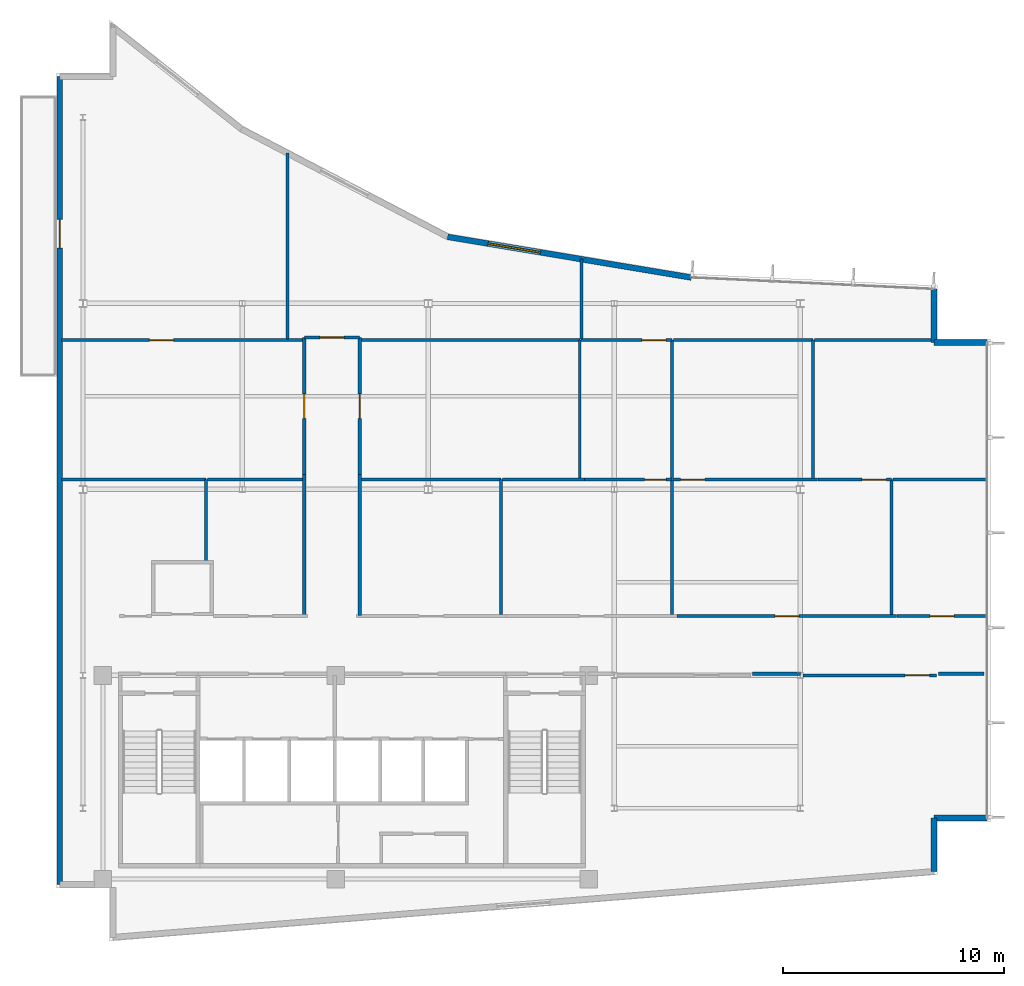
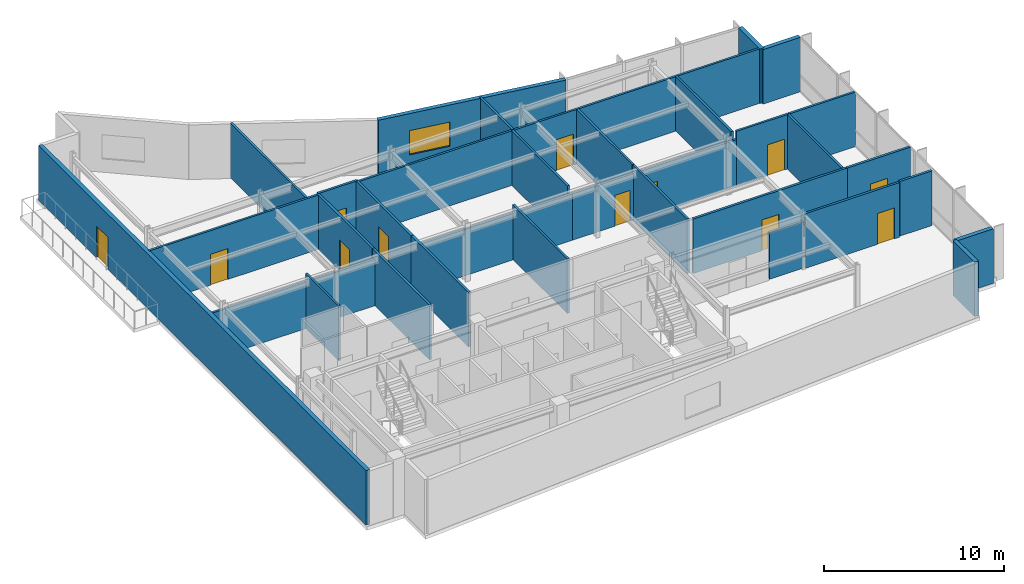
# One storey, part 12 of 16: 38 walls, 12 doors, 1 window, 13 openings.
"""IFC4 building model written with IfcOpenShell, lengths in metres."""

from ifc_helpers import new_model, si_unit, direction, frame, frame_2d, origin, place, context, subcontext, project, spatial, rectangle, extrude, material, layer, layer_set, type_object, element, fill, save


model = new_model("IFC4")

# Units and contexts
model_context = context("Model", 3, precision=1e-05, world=origin(), true_north=direction((0.0, 1.0)))
body_context = subcontext(model_context, "Body", "Model", "MODEL_VIEW")
ifc_project = project(units=[si_unit("LENGTHUNIT", "METRE"), si_unit("AREAUNIT", "SQUARE_METRE"), si_unit("VOLUMEUNIT", "CUBIC_METRE"), si_unit("PLANEANGLEUNIT", "RADIAN"), si_unit("MASSUNIT", "GRAM", prefix="KILO")], contexts=[model_context])

# Site, building, storey
site_placement = place(None, origin())
site = spatial("IfcSite", under=ifc_project, at=site_placement, CompositionType="ELEMENT")
building_placement = place(site_placement, origin())
building = spatial("IfcBuilding", under=site, at=building_placement, Name="Varnakote Quay Hospital", CompositionType="ELEMENT")
storey_placement = place(building_placement, frame((0.0, 0.0, 264.449951171875)))
storey = spatial("IfcBuildingStorey", under=building, at=storey_placement, Name="L65", CompositionType="ELEMENT", Elevation=264.449951171875)

# Walls
ifc_material_1 = material(Name="Fire-rated acoustic gypsum stud wall", Category="gypsum")
ifc_layer_1 = layer(ifc_material_1, 0.159912109375)
ifc_layer_set_1 = layer_set([ifc_layer_1], Name="Fire-rated acoustic gypsum stud wall")
wall_type_1 = type_object("IfcWallType", Name="WL-COMP-160", PredefinedType="PARTITIONING", material=ifc_layer_set_1)
wall_1_placement = place(storey_placement, frame((31.439208984375, 12.080078125, 0.0), z_axis=(0.0, 0.0, 1.0), x_axis=(1.0, 0.0, 0.0)))
element("IfcWall", 1, at=wall_1_placement, inside=storey, type_object=wall_type_1, Name="L65 Corridor South Gap Wall", PredefinedType="PARTITIONING", context=body_context, shape_type="SweptSolid", body=[
    extrude(rectangle(XDim=2.198486328125, YDim=0.159912109375, at=frame_2d((1.09912109375, 0.0))), origin(), (0.0, 0.0, 1.0), 3.156982421875),
])
wall_2_placement = place(storey_placement, frame((39.83935546875, 12.080078125, 0.0), z_axis=(0.0, 0.0, 1.0), x_axis=(1.0, 0.0, 0.0)))
element("IfcWall", 2, at=wall_2_placement, inside=storey, type_object=wall_type_1, Name="L65 Corridor South Gap Wall", PredefinedType="PARTITIONING", context=body_context, shape_type="SweptSolid", body=[
    extrude(rectangle(XDim=2.060546875, YDim=0.159912109375, at=frame_2d((1.0302734375, 0.0))), origin(), (0.0, 0.0, 1.0), 3.7099609375),
])
ifc_material_2 = material(Name="Precast concrete N50 (f'c 50 MPa)", Category="concrete")
ifc_layer_2 = layer(ifc_material_2, 0.260009765625)
ifc_layer_set_2 = layer_set([ifc_layer_2], Name="Precast concrete N50 (f'c 50 MPa)")
wall_type_2 = type_object("IfcWallType", Name="WL-EXT-BRICK-260", PredefinedType="STANDARD", material=ifc_layer_set_2)
wall_3_placement = place(storey_placement, frame((39.639892578125, 3.147705078125, 0.0), z_axis=(0.0, 0.0, 1.0), x_axis=(0.0, 1.0, 0.0)))
element("IfcWall", 3, at=wall_3_placement, inside=storey, type_object=wall_type_2, Name="L65 Brick-Faced Precast Exterior Wall", PredefinedType="STANDARD", context=body_context, shape_type="SweptSolid", body=[
    extrude(rectangle(XDim=2.412353515625, YDim=0.260009765625, at=frame_2d((1.2060546875, 0.0))), origin(), (0.0, 0.0, 1.0), 3.7099609375),
])
for number, where, z_axis, x_axis, name in (
    (4, (39.639892578125, 5.56005859375, 0.0), (0.0, 0.0, 1.0), (1.0, 0.0, 0.0), "L65 Brick-Faced Precast Exterior Wall"),
    (5, (42.0400390625, 27.0400390625, 0.0), (0.0, 0.0, 1.0), (-1.0, 0.0, 0.0), "L65 Brick-Faced Precast Exterior Wall"),
):
    element("IfcWall", number, at=place(storey_placement, frame(where, z_axis=z_axis, x_axis=x_axis)), inside=storey, type_object=wall_type_2, Name=name, PredefinedType="STANDARD", context=body_context, shape_type="SweptSolid", body=[
        extrude(rectangle(XDim=2.400146484375, YDim=0.260009765625, at=frame_2d((1.2001953125, 0.0))), origin(), (0.0, 0.0, 1.0), 3.7099609375),
    ])
wall_4_placement = place(storey_placement, frame((39.639892578125, 27.0400390625, 0.0), z_axis=(0.0, 0.0, 1.0), x_axis=(0.0, 1.0, 0.0)))
element("IfcWall", 6, at=wall_4_placement, inside=storey, type_object=wall_type_2, Name="L65 Brick-Faced Precast Exterior Wall", PredefinedType="STANDARD", context=body_context, shape_type="SweptSolid", body=[
    extrude(rectangle(XDim=2.407470703125, YDim=0.260009765625, at=frame_2d((1.20361328125, 0.0))), origin(), (0.0, 0.0, 1.0), 3.7099609375),
])

# Wall, opening, window
wall_5_placement = place(storey_placement, frame((28.678955078125, 29.968505859375, 0.0), z_axis=(0.0, 0.0, 1.0), x_axis=(-0.986343023061, 0.164704100918, 0.0)))
wall_5 = element("IfcWall", 7, at=wall_5_placement, inside=storey, type_object=wall_type_2, Name="L65 Brick-Faced Precast Exterior Wall", PredefinedType="STANDARD", context=body_context, shape_type="SweptSolid", body=[
    extrude(rectangle(XDim=11.15869140625, YDim=0.260009765625, at=frame_2d((5.579345703125, 0.0))), origin(), (0.0, 0.0, 1.0), 3.7099609375),
])
opening_1_placement = place(wall_5_placement, frame((6.908203125, 0.0, 0.89990234375)))
opening_1 = element("IfcOpeningElement", 8, at=opening_1_placement, cuts=wall_5, Name="Opening WN-0263", PredefinedType="OPENING", context=body_context, shape_type="SweptSolid", body=[
    extrude(rectangle(XDim=2.39990234375, YDim=1.64990234375, at=frame_2d((1.199951171875, 0.824951171875))), frame((0.0, 0.139892578125, 0.0), z_axis=(0.0, -1.0, 0.0), x_axis=(1.0, 0.0, 0.0)), (0.0, 0.0, 1.0), 0.280029296875),
])
ifc_material_3 = material(Name="Double-glazed low-E solar glass", Category="glass")
window_type = type_object("IfcWindowType", Name="WIN-CLIN-2400x1650", PartitioningType="SINGLE_PANEL", PredefinedType="WINDOW", material=ifc_material_3)
window_placement = place(opening_1_placement, origin())
window = element("IfcWindow", 9, at=window_placement, inside=storey, type_object=window_type, Name="L65 Solar-Control Clinical Window", OverallHeight=1.64990234375, OverallWidth=2.39990234375, PartitioningType="SINGLE_PANEL", PredefinedType="WINDOW", context=body_context, shape_type="SweptSolid", body=[
    extrude(rectangle(XDim=2.39990234375, YDim=1.64990234375, at=frame_2d((1.199951171875, 0.824951171875))), frame((0.0, 0.030029296875, 0.0), z_axis=(0.0, -1.0, 0.0), x_axis=(1.0, 0.0, 0.0)), (0.0, 0.0, 1.0), 0.06005859375),
])
fill(opening_1, window)

# Wall, opening, door
wall_6_placement = place(storey_placement, frame((0.159912109375, 39.0400390625, 0.0), z_axis=(0.0, 0.0, 1.0), x_axis=(0.0, -1.0, 0.0)))
wall_6 = element("IfcWall", 10, at=wall_6_placement, inside=storey, type_object=wall_type_2, Name="L65 Healing Terrace Portal Brick Wall", PredefinedType="STANDARD", context=body_context, shape_type="SweptSolid", body=[
    extrude(rectangle(XDim=36.47998046875, YDim=0.260009765625, at=frame_2d((18.239990234375, 0.0))), origin(), (0.0, 0.0, 1.0), 3.7099609375),
])
opening_2_placement = place(wall_6_placement, frame((6.443359375, 0.0, 0.0)))
opening_2 = element("IfcOpeningElement", 11, at=opening_2_placement, cuts=wall_6, Name="Opening DT-L65", PredefinedType="OPENING", context=body_context, shape_type="SweptSolid", body=[
    extrude(rectangle(XDim=1.300048828125, YDim=2.14990234375, at=frame_2d((0.64990234375, 1.074951171875))), frame((0.0, 0.139892578125, 0.0), z_axis=(0.0, -1.0, 0.0), x_axis=(1.0, 0.0, 0.0)), (0.0, 0.0, 1.0), 0.280029296875),
])
ifc_material_4 = material(Name="Anodised aluminium glazed terrace door", Category="aluminium")
door_type_1 = type_object("IfcDoorType", Name="DR-EXT-TERR-1300x2150", OperationType="NOTDEFINED", PredefinedType="DOOR", material=ifc_material_4)
door_1_placement = place(opening_2_placement, origin())
door_1 = element("IfcDoor", 12, at=door_1_placement, inside=storey, type_object=door_type_1, Name="L65 Waterfront Healing Terrace Door", OperationType="SINGLE_SWING_RIGHT", OverallHeight=2.14990234375, OverallWidth=1.300048828125, PredefinedType="DOOR", context=body_context, shape_type="SweptSolid", body=[
    extrude(rectangle(XDim=1.300048828125, YDim=2.14990234375, at=frame_2d((0.64990234375, 1.074951171875))), frame((0.0, 0.02490234375, 0.0), z_axis=(0.0, -1.0, 0.0), x_axis=(1.0, 0.0, 0.0)), (0.0, 0.0, 1.0), 0.050048828125),
])
fill(opening_2, door_1)

# Walls
ifc_material_5 = material(Name="Smoke-proof clinical partition", Category="gypsum")
ifc_layer_3 = layer(ifc_material_5, 0.135009765625)
ifc_layer_set_3 = layer_set([ifc_layer_3], Name="Smoke-proof clinical partition")
wall_type_3 = type_object("IfcWallType", Name="WL-SMOKE-135", PredefinedType="PARTITIONING", material=ifc_layer_set_3)
wall_7_placement = place(storey_placement, frame((6.760009765625, 17.139892578125, 0.0), z_axis=(0.0, 0.0, 1.0), x_axis=(0.0, 1.0, 0.0)))
element("IfcWall", 13, at=wall_7_placement, inside=storey, type_object=wall_type_3, Name="L65 Clinical Interior Partition", PredefinedType="PARTITIONING", context=body_context, shape_type="SweptSolid", body=[
    extrude(rectangle(XDim=3.7001953125, YDim=0.135009765625, at=frame_2d((1.85009765625, 0.0))), origin(), (0.0, 0.0, 1.0), 3.7099609375),
])
wall_8_placement = place(storey_placement, frame((6.760009765625, 20.840087890625, 0.0), z_axis=(0.0, 0.0, 1.0), x_axis=(-1.0, 0.0, 0.0)))
element("IfcWall", 14, at=wall_8_placement, inside=storey, type_object=wall_type_3, Name="L65 Clinical Interior Partition", PredefinedType="PARTITIONING", context=body_context, shape_type="SweptSolid", body=[
    extrude(rectangle(XDim=6.52001953125, YDim=0.135009765625, at=frame_2d((3.260009765625, 0.0))), origin(), (0.0, 0.0, 1.0), 3.156982421875),
])
wall_9_placement = place(storey_placement, frame((11.1201171875, 20.840087890625, 0.0), z_axis=(0.0, 0.0, 1.0), x_axis=(-1.0, 0.0, 0.0)))
element("IfcWall", 15, at=wall_9_placement, inside=storey, type_object=wall_type_3, Name="L65 Clinical Interior Partition", PredefinedType="PARTITIONING", context=body_context, shape_type="SweptSolid", body=[
    extrude(rectangle(XDim=4.302734375, YDim=0.135009765625, at=frame_2d((2.1513671875, 0.0))), origin(), (0.0, 0.0, 1.0), 3.156982421875),
])
wall_10_placement = place(storey_placement, frame((20.090087890625, 14.760009765625, 0.0), z_axis=(0.0, 0.0, 1.0), x_axis=(0.0, 1.0, 0.0)))
element("IfcWall", 16, at=wall_10_placement, inside=storey, type_object=wall_type_3, Name="L65 Clinical Interior Partition", PredefinedType="PARTITIONING", context=body_context, shape_type="SweptSolid", body=[
    extrude(rectangle(XDim=6.080078125, YDim=0.135009765625, at=frame_2d((3.0400390625, 0.0))), origin(), (0.0, 0.0, 1.0), 3.7099609375),
])
wall_11_placement = place(storey_placement, frame((20.090087890625, 20.840087890625, 0.0), z_axis=(0.0, 0.0, 1.0), x_axis=(-1.0, 0.0, 0.0)))
element("IfcWall", 17, at=wall_11_placement, inside=storey, type_object=wall_type_3, Name="L65 Clinical Interior Partition", PredefinedType="PARTITIONING", context=body_context, shape_type="SweptSolid", body=[
    extrude(rectangle(XDim=6.31005859375, YDim=0.135009765625, at=frame_2d((3.155029296875, 0.0))), origin(), (0.0, 0.0, 1.0), 3.156982421875),
])
wall_12_placement = place(storey_placement, frame((27.81005859375, 14.760009765625, 0.0), z_axis=(0.0, 0.0, 1.0), x_axis=(0.0, 1.0, 0.0)))
element("IfcWall", 18, at=wall_12_placement, inside=storey, type_object=wall_type_3, Name="L65 Clinical Interior Partition", PredefinedType="PARTITIONING", context=body_context, shape_type="SweptSolid", body=[
    extrude(rectangle(XDim=6.080078125, YDim=0.135009765625, at=frame_2d((3.0400390625, 0.0))), origin(), (0.0, 0.0, 1.0), 3.7099609375),
])
wall_13_placement = place(storey_placement, frame((23.847412109375, 20.840087890625, 0.0), z_axis=(0.0, 0.0, 1.0), x_axis=(-1.0, 0.0, 0.0)))
element("IfcWall", 19, at=wall_13_placement, inside=storey, type_object=wall_type_3, Name="L65 Clinical Interior Partition", PredefinedType="PARTITIONING", context=body_context, shape_type="SweptSolid", body=[
    extrude(rectangle(XDim=3.699951171875, YDim=0.135009765625, at=frame_2d((1.85009765625, 0.0))), origin(), (0.0, 0.0, 1.0), 3.156982421875),
])

# Wall, opening, door
wall_14_placement = place(storey_placement, frame((27.81005859375, 20.840087890625, 0.0), z_axis=(0.0, 0.0, 1.0), x_axis=(-1.0, 0.0, 0.0)))
wall_14 = element("IfcWall", 20, at=wall_14_placement, inside=storey, type_object=wall_type_3, Name="L65 Clinical Interior Partition", PredefinedType="PARTITIONING", context=body_context, shape_type="SweptSolid", body=[
    extrude(rectangle(XDim=3.96044921875, YDim=0.135009765625, at=frame_2d((1.980224609375, 0.0))), origin(), (0.0, 0.0, 1.0), 3.156982421875),
])
opening_3_placement = place(wall_14_placement, frame((0.264404296875, 0.0, 0.0)))
opening_3 = element("IfcOpeningElement", 21, at=opening_3_placement, cuts=wall_14, Name="Opening D-L65-MD08", PredefinedType="OPENING", context=body_context, shape_type="SweptSolid", body=[
    extrude(rectangle(XDim=0.97998046875, YDim=2.10009765625, at=frame_2d((0.489990234375, 1.050048828125))), frame((0.0, 0.077392578125, 0.0), z_axis=(0.0, -1.0, 0.0), x_axis=(1.0, 0.0, 0.0)), (0.0, 0.0, 1.0), 0.155029296875),
])
ifc_material_6 = material(Name="Accessible sanitary compartment door")
door_type_2 = type_object("IfcDoorType", Name="DR-WC-980x2100", OperationType="NOTDEFINED", PredefinedType="DOOR", material=ifc_material_6)
door_2_placement = place(opening_3_placement, origin())
door_2 = element("IfcDoor", 22, at=door_2_placement, inside=storey, type_object=door_type_2, Name="L65 Senior Clinician Office Door", OperationType="SINGLE_SWING_RIGHT", OverallHeight=2.10009765625, OverallWidth=0.97998046875, PredefinedType="DOOR", context=body_context, shape_type="SweptSolid", body=[
    extrude(rectangle(XDim=0.97998046875, YDim=2.10009765625, at=frame_2d((0.489990234375, 1.050048828125))), frame((0.0, 0.02490234375, 0.0), z_axis=(0.0, -1.0, 0.0), x_axis=(1.0, 0.0, 0.0)), (0.0, 0.0, 1.0), 0.050048828125),
])
fill(opening_3, door_2)

# Wall
wall_15_placement = place(storey_placement, frame((37.72998046875, 14.760009765625, 0.0), z_axis=(0.0, 0.0, 1.0), x_axis=(0.0, 1.0, 0.0)))
element("IfcWall", 23, at=wall_15_placement, inside=storey, type_object=wall_type_3, Name="L65 Clinical Interior Partition", PredefinedType="PARTITIONING", context=body_context, shape_type="SweptSolid", body=[
    extrude(rectangle(XDim=6.080078125, YDim=0.135009765625, at=frame_2d((3.0400390625, 0.0))), origin(), (0.0, 0.0, 1.0), 3.7099609375),
])

# Wall, opening, door
wall_16_placement = place(storey_placement, frame((34.387451171875, 20.840087890625, 0.0), z_axis=(0.0, 0.0, 1.0), x_axis=(-1.0, 0.0, 0.0)))
wall_16 = element("IfcWall", 24, at=wall_16_placement, inside=storey, type_object=wall_type_3, Name="L65 Clinical Interior Partition", PredefinedType="PARTITIONING", context=body_context, shape_type="SweptSolid", body=[
    extrude(rectangle(XDim=6.52001953125, YDim=0.135009765625, at=frame_2d((3.260009765625, 0.0))), origin(), (0.0, 0.0, 1.0), 3.156982421875),
])
opening_4_placement = place(wall_16_placement, frame((5.094482421875, 0.0, 0.0)))
opening_4 = element("IfcOpeningElement", 25, at=opening_4_placement, cuts=wall_16, Name="Opening D-L65-MD09", PredefinedType="OPENING", context=body_context, shape_type="SweptSolid", body=[
    extrude(rectangle(XDim=1.10009765625, YDim=2.10009765625, at=frame_2d((0.550048828125, 1.050048828125))), frame((0.0, 0.077392578125, 0.0), z_axis=(0.0, -1.0, 0.0), x_axis=(1.0, 0.0, 0.0)), (0.0, 0.0, 1.0), 0.155029296875),
])
ifc_material_7 = material(Name="Acoustic timber clinical consult door", Category="wood")
door_type_3 = type_object("IfcDoorType", Name="DR-CLIN-FD30S-1100x2100", OperationType="NOTDEFINED", PredefinedType="DOOR", material=ifc_material_7)
door_3_placement = place(opening_4_placement, origin())
door_3 = element("IfcDoor", 26, at=door_3_placement, inside=storey, type_object=door_type_3, Name="L65 Day Procedure Treatment Suite Door", OperationType="SINGLE_SWING_LEFT", OverallHeight=2.10009765625, OverallWidth=1.10009765625, PredefinedType="DOOR", context=body_context, shape_type="SweptSolid", body=[
    extrude(rectangle(XDim=1.10009765625, YDim=2.10009765625, at=frame_2d((0.550048828125, 1.050048828125))), frame((0.0, 0.02490234375, 0.0), z_axis=(0.0, -1.0, 0.0), x_axis=(1.0, 0.0, 0.0)), (0.0, 0.0, 1.0), 0.050048828125),
])
fill(opening_4, door_3)

wall_17_placement = place(storey_placement, frame((37.72998046875, 20.840087890625, 0.0), z_axis=(0.0, 0.0, 1.0), x_axis=(-1.0, 0.0, 0.0)))
wall_17 = element("IfcWall", 27, at=wall_17_placement, inside=storey, type_object=wall_type_3, Name="L65 Clinical Interior Partition", PredefinedType="PARTITIONING", context=body_context, shape_type="SweptSolid", body=[
    extrude(rectangle(XDim=3.340576171875, YDim=0.135009765625, at=frame_2d((1.67041015625, 0.0))), origin(), (0.0, 0.0, 1.0), 3.7099609375),
])
opening_5_placement = place(wall_17_placement, frame((0.24609375, 0.0, 0.0)))
opening_5 = element("IfcOpeningElement", 28, at=opening_5_placement, cuts=wall_17, Name="Opening D-L65-MD10", PredefinedType="OPENING", context=body_context, shape_type="SweptSolid", body=[
    extrude(rectangle(XDim=1.10009765625, YDim=2.10009765625, at=frame_2d((0.550048828125, 1.050048828125))), frame((0.0, 0.077392578125, 0.0), z_axis=(0.0, -1.0, 0.0), x_axis=(1.0, 0.0, 0.0)), (0.0, 0.0, 1.0), 0.155029296875),
])
door_4_placement = place(opening_5_placement, origin())
door_4 = element("IfcDoor", 29, at=door_4_placement, inside=storey, type_object=door_type_3, Name="L65 Endoscopy Infusion Treatment Suite Door", OperationType="SINGLE_SWING_RIGHT", OverallHeight=2.10009765625, OverallWidth=1.10009765625, PredefinedType="DOOR", context=body_context, shape_type="SweptSolid", body=[
    extrude(rectangle(XDim=1.10009765625, YDim=2.10009765625, at=frame_2d((0.550048828125, 1.050048828125))), frame((0.0, 0.02490234375, 0.0), z_axis=(0.0, -1.0, 0.0), x_axis=(1.0, 0.0, 0.0)), (0.0, 0.0, 1.0), 0.050048828125),
])
fill(opening_5, door_4)

# Wall
wall_18_placement = place(storey_placement, frame((42.0400390625, 20.840087890625, 0.0), z_axis=(0.0, 0.0, 1.0), x_axis=(-1.0, 0.0, 0.0)))
element("IfcWall", 30, at=wall_18_placement, inside=storey, type_object=wall_type_3, Name="L65 Clinical Interior Partition", PredefinedType="PARTITIONING", context=body_context, shape_type="SweptSolid", body=[
    extrude(rectangle(XDim=4.25244140625, YDim=0.135009765625, at=frame_2d((2.126220703125, 0.0))), origin(), (0.0, 0.0, 1.0), 3.7099609375),
])

# Wall, opening, door
wall_19_placement = place(storey_placement, frame((11.135009765625, 27.139892578125, 0.0), z_axis=(0.0, 0.0, 1.0), x_axis=(-1.0, 0.0, 0.0)))
wall_19 = element("IfcWall", 31, at=wall_19_placement, inside=storey, type_object=wall_type_3, Name="L65 Clinical Interior Partition", PredefinedType="PARTITIONING", context=body_context, shape_type="SweptSolid", body=[
    extrude(rectangle(XDim=10.89501953125, YDim=0.135009765625, at=frame_2d((5.447509765625, 0.0))), origin(), (0.0, 0.0, 1.0), 3.7099609375),
])
opening_6_placement = place(wall_19_placement, frame((5.8369140625, 0.0, 0.0)))
opening_6 = element("IfcOpeningElement", 32, at=opening_6_placement, cuts=wall_19, Name="Opening D-L65-MD11", PredefinedType="OPENING", context=body_context, shape_type="SweptSolid", body=[
    extrude(rectangle(XDim=1.10009765625, YDim=2.10009765625, at=frame_2d((0.550048828125, 1.050048828125))), frame((0.0, 0.077392578125, 0.0), z_axis=(0.0, -1.0, 0.0), x_axis=(1.0, 0.0, 0.0)), (0.0, 0.0, 1.0), 0.155029296875),
])
door_5_placement = place(opening_6_placement, origin())
door_5 = element("IfcDoor", 33, at=door_5_placement, inside=storey, type_object=door_type_3, Name="L65 Ward Preparation Pantry Door", OperationType="SINGLE_SWING_LEFT", OverallHeight=2.10009765625, OverallWidth=1.10009765625, PredefinedType="DOOR", context=body_context, shape_type="SweptSolid", body=[
    extrude(rectangle(XDim=1.10009765625, YDim=2.10009765625, at=frame_2d((0.550048828125, 1.050048828125))), frame((0.0, 0.02490234375, 0.0), z_axis=(0.0, -1.0, 0.0), x_axis=(1.0, 0.0, 0.0)), (0.0, 0.0, 1.0), 0.050048828125),
])
fill(opening_6, door_5)

# Walls
wall_20_placement = place(storey_placement, frame((23.639892578125, 20.8974609375, 0.0), z_axis=(0.0, 0.0, 1.0), x_axis=(0.0, 1.0, 0.0)))
element("IfcWall", 34, at=wall_20_placement, inside=storey, type_object=wall_type_3, Name="L65 Clinical Interior Partition", PredefinedType="PARTITIONING", context=body_context, shape_type="SweptSolid", body=[
    extrude(rectangle(XDim=6.242431640625, YDim=0.135009765625, at=frame_2d((3.12109375, 0.0))), origin(), (0.0, 0.0, 1.0), 3.7099609375),
])
wall_21_placement = place(storey_placement, frame((23.639892578125, 27.139892578125, 0.0), z_axis=(0.0, 0.0, 1.0), x_axis=(-1.0, 0.0, 0.0)))
element("IfcWall", 35, at=wall_21_placement, inside=storey, type_object=wall_type_3, Name="L65 Clinical Interior Partition", PredefinedType="PARTITIONING", context=body_context, shape_type="SweptSolid", body=[
    extrude(rectangle(XDim=9.85986328125, YDim=0.135009765625, at=frame_2d((4.929931640625, 0.0))), origin(), (0.0, 0.0, 1.0), 3.7099609375),
])
wall_22_placement = place(storey_placement, frame((27.81005859375, 20.8974609375, 0.0), z_axis=(0.0, 0.0, 1.0), x_axis=(0.0, 1.0, 0.0)))
element("IfcWall", 36, at=wall_22_placement, inside=storey, type_object=wall_type_3, Name="L65 Clinical Interior Partition", PredefinedType="PARTITIONING", context=body_context, shape_type="SweptSolid", body=[
    extrude(rectangle(XDim=6.242431640625, YDim=0.135009765625, at=frame_2d((3.12109375, 0.0))), origin(), (0.0, 0.0, 1.0), 3.7099609375),
])

# Wall, opening, door
wall_23_placement = place(storey_placement, frame((27.81005859375, 27.139892578125, 0.0), z_axis=(0.0, 0.0, 1.0), x_axis=(-1.0, 0.0, 0.0)))
wall_23 = element("IfcWall", 37, at=wall_23_placement, inside=storey, type_object=wall_type_3, Name="L65 Clinical Interior Partition", PredefinedType="PARTITIONING", context=body_context, shape_type="SweptSolid", body=[
    extrude(rectangle(XDim=4.112548828125, YDim=0.135009765625, at=frame_2d((2.05615234375, 0.0))), origin(), (0.0, 0.0, 1.0), 3.7099609375),
])
opening_7_placement = place(wall_23_placement, frame((0.265380859375, 0.0, 0.0)))
opening_7 = element("IfcOpeningElement", 38, at=opening_7_placement, cuts=wall_23, Name="Opening D-L65-MD13", PredefinedType="OPENING", context=body_context, shape_type="SweptSolid", body=[
    extrude(rectangle(XDim=1.10009765625, YDim=2.10009765625, at=frame_2d((0.550048828125, 1.050048828125))), frame((0.0, 0.077392578125, 0.0), z_axis=(0.0, -1.0, 0.0), x_axis=(1.0, 0.0, 0.0)), (0.0, 0.0, 1.0), 0.155029296875),
])
door_6_placement = place(opening_7_placement, origin())
door_6 = element("IfcDoor", 39, at=door_6_placement, inside=storey, type_object=door_type_3, Name="L65 Day Procedure Treatment Suite Door", OperationType="SINGLE_SWING_RIGHT", OverallHeight=2.10009765625, OverallWidth=1.10009765625, PredefinedType="DOOR", context=body_context, shape_type="SweptSolid", body=[
    extrude(rectangle(XDim=1.10009765625, YDim=2.10009765625, at=frame_2d((0.550048828125, 1.050048828125))), frame((0.0, 0.02490234375, 0.0), z_axis=(0.0, -1.0, 0.0), x_axis=(1.0, 0.0, 0.0)), (0.0, 0.0, 1.0), 0.050048828125),
])
fill(opening_7, door_6)

# Walls
wall_24_placement = place(storey_placement, frame((34.179931640625, 20.8974609375, 0.0), z_axis=(0.0, 0.0, 1.0), x_axis=(0.0, 1.0, 0.0)))
element("IfcWall", 40, at=wall_24_placement, inside=storey, type_object=wall_type_3, Name="L65 Clinical Interior Partition", PredefinedType="PARTITIONING", context=body_context, shape_type="SweptSolid", body=[
    extrude(rectangle(XDim=6.242431640625, YDim=0.135009765625, at=frame_2d((3.12109375, 0.0))), origin(), (0.0, 0.0, 1.0), 3.7099609375),
])
wall_25_placement = place(storey_placement, frame((34.179931640625, 27.139892578125, 0.0), z_axis=(0.0, 0.0, 1.0), x_axis=(-1.0, 0.0, 0.0)))
element("IfcWall", 41, at=wall_25_placement, inside=storey, type_object=wall_type_3, Name="L65 Clinical Interior Partition", PredefinedType="PARTITIONING", context=body_context, shape_type="SweptSolid", body=[
    extrude(rectangle(XDim=6.3125, YDim=0.135009765625, at=frame_2d((3.15625, 0.0))), origin(), (0.0, 0.0, 1.0), 3.7099609375),
])
wall_26_placement = place(storey_placement, frame((39.637939453125, 27.139892578125, 0.0), z_axis=(0.0, 0.0, 1.0), x_axis=(-1.0, 0.0, 0.0)))
element("IfcWall", 42, at=wall_26_placement, inside=storey, type_object=wall_type_3, Name="L65 Clinical Interior Partition", PredefinedType="PARTITIONING", context=body_context, shape_type="SweptSolid", body=[
    extrude(rectangle(XDim=5.400390625, YDim=0.135009765625, at=frame_2d((2.7001953125, 0.0))), origin(), (0.0, 0.0, 1.0), 3.7099609375),
])
wall_27_placement = place(storey_placement, frame((10.43994140625, 27.197509765625, 0.0), z_axis=(0.0, 0.0, 1.0), x_axis=(0.0, 1.0, 0.0)))
element("IfcWall", 43, at=wall_27_placement, inside=storey, type_object=wall_type_3, Name="L65 Clinical Interior Partition", PredefinedType="PARTITIONING", context=body_context, shape_type="SweptSolid", body=[
    extrude(rectangle(XDim=8.385498046875, YDim=0.135009765625, at=frame_2d((4.19287109375, 0.0))), origin(), (0.0, 0.0, 1.0), 3.7099609375),
])
wall_28_placement = place(storey_placement, frame((23.7099609375, 27.197509765625, 0.0), z_axis=(0.0, 0.0, 1.0), x_axis=(0.0, 1.0, 0.0)))
element("IfcWall", 44, at=wall_28_placement, inside=storey, type_object=wall_type_3, Name="L65 Clinical Interior Partition", PredefinedType="PARTITIONING", context=body_context, shape_type="SweptSolid", body=[
    extrude(rectangle(XDim=3.600830078125, YDim=0.135009765625, at=frame_2d((1.80029296875, 0.0))), origin(), (0.0, 0.0, 1.0), 3.7099609375),
])

# Wall, opening, door
ifc_material_8 = material(Name="Fire-rated clinical gypsum partition", Category="gypsum")
ifc_layer_4 = layer(ifc_material_8, 0.14990234375)
ifc_layer_set_4 = layer_set([ifc_layer_4], Name="Fire-rated clinical gypsum partition")
wall_type_4 = type_object("IfcWallType", Name="WL-WARD-150", PredefinedType="PARTITIONING", material=ifc_layer_set_4)
wall_29_placement = place(storey_placement, frame((39.75, 12.0, 0.0), z_axis=(0.0, 0.0, 1.0), x_axis=(-1.0, 0.0, 0.0)))
wall_29 = element("IfcWall", 45, at=wall_29_placement, inside=storey, type_object=wall_type_4, Name="L65 Clinical Interior Partition", PredefinedType="PARTITIONING", context=body_context, shape_type="SweptSolid", body=[
    extrude(rectangle(XDim=6.02294921875, YDim=0.14990234375, at=frame_2d((3.011474609375, 0.0))), origin(), (0.0, 0.0, 1.0), 3.7099609375),
])
opening_8_placement = place(wall_29_placement, frame((0.31298828125, 0.0, 0.0)))
opening_8 = element("IfcOpeningElement", 46, at=opening_8_placement, cuts=wall_29, Name="Opening D-L65-RM1", PredefinedType="OPENING", context=body_context, shape_type="SweptSolid", body=[
    extrude(rectangle(XDim=1.10009765625, YDim=2.10009765625, at=frame_2d((0.550048828125, 1.050048828125))), frame((0.0, 0.0849609375, 0.0), z_axis=(0.0, -1.0, 0.0), x_axis=(1.0, 0.0, 0.0)), (0.0, 0.0, 1.0), 0.169921875),
])
door_7_placement = place(opening_8_placement, origin())
door_7 = element("IfcDoor", 47, at=door_7_placement, inside=storey, type_object=door_type_3, Name="L65 Cardiac Telemetry Treatment Suite Door", OperationType="SINGLE_SWING_RIGHT", OverallHeight=2.10009765625, OverallWidth=1.10009765625, PredefinedType="DOOR", context=body_context, shape_type="SweptSolid", body=[
    extrude(rectangle(XDim=1.10009765625, YDim=2.10009765625, at=frame_2d((0.550048828125, 1.050048828125))), frame((0.0, 0.02490234375, 0.0), z_axis=(0.0, -1.0, 0.0), x_axis=(1.0, 0.0, 0.0)), (0.0, 0.0, 1.0), 0.050048828125),
])
fill(opening_8, door_7)

wall_30_placement = place(storey_placement, frame((37.9560546875, 14.679931640625, 0.0), z_axis=(0.0, 0.0, 1.0), x_axis=(-1.0, 0.0, 0.0)))
wall_30 = element("IfcWall", 48, at=wall_30_placement, inside=storey, type_object=wall_type_4, Name="L65 Clinical Interior Partition", PredefinedType="PARTITIONING", context=body_context, shape_type="SweptSolid", body=[
    extrude(rectangle(XDim=9.91796875, YDim=0.14990234375, at=frame_2d((4.958984375, 0.0))), origin(), (0.0, 0.0, 1.0), 3.7099609375),
])
opening_9_placement = place(wall_30_placement, frame((4.408935546875, 0.0, 0.0)))
opening_9 = element("IfcOpeningElement", 49, at=opening_9_placement, cuts=wall_30, Name="Opening D-L65-MD05", PredefinedType="OPENING", context=body_context, shape_type="SweptSolid", body=[
    extrude(rectangle(XDim=1.10009765625, YDim=2.10009765625, at=frame_2d((0.550048828125, 1.050048828125))), frame((0.0, 0.0849609375, 0.0), z_axis=(0.0, -1.0, 0.0), x_axis=(1.0, 0.0, 0.0)), (0.0, 0.0, 1.0), 0.169921875),
])
door_8_placement = place(opening_9_placement, origin())
door_8 = element("IfcDoor", 50, at=door_8_placement, inside=storey, type_object=door_type_3, Name="L65 Day Procedure Treatment Suite Door", OperationType="SINGLE_SWING_LEFT", OverallHeight=2.10009765625, OverallWidth=1.10009765625, PredefinedType="DOOR", context=body_context, shape_type="SweptSolid", body=[
    extrude(rectangle(XDim=1.10009765625, YDim=2.10009765625, at=frame_2d((0.550048828125, 1.050048828125))), frame((0.0, 0.02490234375, 0.0), z_axis=(0.0, -1.0, 0.0), x_axis=(1.0, 0.0, 0.0)), (0.0, 0.0, 1.0), 0.050048828125),
])
fill(opening_9, door_8)

wall_31_placement = place(storey_placement, frame((42.0400390625, 14.679931640625, 0.0), z_axis=(0.0, 0.0, 1.0), x_axis=(-1.0, 0.0, 0.0)))
wall_31 = element("IfcWall", 51, at=wall_31_placement, inside=storey, type_object=wall_type_4, Name="L65 Clinical Interior Partition", PredefinedType="PARTITIONING", context=body_context, shape_type="SweptSolid", body=[
    extrude(rectangle(XDim=4.08203125, YDim=0.14990234375, at=frame_2d((2.041015625, 0.0))), origin(), (0.0, 0.0, 1.0), 3.7099609375),
])
opening_10_placement = place(wall_31_placement, frame((1.490966796875, 0.0, 0.0)))
opening_10 = element("IfcOpeningElement", 52, at=opening_10_placement, cuts=wall_31, Name="Opening D-L65-MD06", PredefinedType="OPENING", context=body_context, shape_type="SweptSolid", body=[
    extrude(rectangle(XDim=1.10009765625, YDim=2.10009765625, at=frame_2d((0.550048828125, 1.050048828125))), frame((0.0, 0.0849609375, 0.0), z_axis=(0.0, -1.0, 0.0), x_axis=(1.0, 0.0, 0.0)), (0.0, 0.0, 1.0), 0.169921875),
])
door_9_placement = place(opening_10_placement, origin())
door_9 = element("IfcDoor", 53, at=door_9_placement, inside=storey, type_object=door_type_3, Name="L65 Endoscopy Infusion Treatment Suite Door", OperationType="SINGLE_SWING_RIGHT", OverallHeight=2.10009765625, OverallWidth=1.10009765625, PredefinedType="DOOR", context=body_context, shape_type="SweptSolid", body=[
    extrude(rectangle(XDim=1.10009765625, YDim=2.10009765625, at=frame_2d((0.550048828125, 1.050048828125))), frame((0.0, 0.02490234375, 0.0), z_axis=(0.0, -1.0, 0.0), x_axis=(1.0, 0.0, 0.0)), (0.0, 0.0, 1.0), 0.050048828125),
])
fill(opening_10, door_9)

# Walls
for number, where, z_axis, x_axis, name in (
    (54, (11.199951171875, 21.06591796875, 0.0), (0.0, 0.0, 1.0), (0.0, -1.0, 0.0), "L65 Clinical Interior Partition"),
    (55, (13.699951171875, 14.699951171875, 0.0), (0.0, 0.0, 1.0), (0.0, 1.0, 0.0), "L65 Clinical Interior Partition"),
):
    element("IfcWall", number, at=place(storey_placement, frame(where, z_axis=z_axis, x_axis=x_axis)), inside=storey, type_object=wall_type_4, Name=name, PredefinedType="PARTITIONING", context=body_context, shape_type="SweptSolid", body=[
        extrude(rectangle(XDim=6.365966796875, YDim=0.14990234375, at=frame_2d((3.18310546875, 0.0))), origin(), (0.0, 0.0, 1.0), 3.7099609375),
    ])

# Wall, opening, door
wall_32_placement = place(storey_placement, frame((11.199951171875, 27.260009765625, 0.0), z_axis=(0.0, 0.0, 1.0), x_axis=(0.0, -1.0, 0.0)))
wall_32 = element("IfcWall", 56, at=wall_32_placement, inside=storey, type_object=wall_type_4, Name="L65 Clinical Interior Partition", PredefinedType="PARTITIONING", context=body_context, shape_type="SweptSolid", body=[
    extrude(rectangle(XDim=6.19189453125, YDim=0.14990234375, at=frame_2d((3.095947265625, 0.0))), origin(), (0.0, 0.0, 1.0), 3.7099609375),
])
opening_11_placement = place(wall_32_placement, frame((2.5458984375, 0.0, 0.0)))
opening_11 = element("IfcOpeningElement", 57, at=opening_11_placement, cuts=wall_32, Name="Opening D-L65-DLNG", PredefinedType="OPENING", context=body_context, shape_type="SweptSolid", body=[
    extrude(rectangle(XDim=1.10009765625, YDim=2.10009765625, at=frame_2d((0.550048828125, 1.050048828125))), frame((0.0, 0.0849609375, 0.0), z_axis=(0.0, -1.0, 0.0), x_axis=(1.0, 0.0, 0.0)), (0.0, 0.0, 1.0), 0.169921875),
])
door_10_placement = place(opening_11_placement, origin())
door_10 = element("IfcDoor", 58, at=door_10_placement, inside=storey, type_object=door_type_3, Name="L65 Waterfront Patient & Family Dayroom Door", OperationType="SINGLE_SWING_LEFT", OverallHeight=2.10009765625, OverallWidth=1.10009765625, PredefinedType="DOOR", context=body_context, shape_type="SweptSolid", body=[
    extrude(rectangle(XDim=1.10009765625, YDim=2.10009765625, at=frame_2d((0.550048828125, 1.050048828125))), frame((0.0, 0.02490234375, 0.0), z_axis=(0.0, -1.0, 0.0), x_axis=(1.0, 0.0, 0.0)), (0.0, 0.0, 1.0), 0.050048828125),
])
fill(opening_11, door_10)

wall_33_placement = place(storey_placement, frame((13.699951171875, 21.068115234375, 0.0), z_axis=(0.0, 0.0, 1.0), x_axis=(0.0, 1.0, 0.0)))
wall_33 = element("IfcWall", 59, at=wall_33_placement, inside=storey, type_object=wall_type_4, Name="L65 Clinical Interior Partition", PredefinedType="PARTITIONING", context=body_context, shape_type="SweptSolid", body=[
    extrude(rectangle(XDim=6.19189453125, YDim=0.14990234375, at=frame_2d((3.095947265625, 0.0))), origin(), (0.0, 0.0, 1.0), 3.7099609375),
])
opening_12_placement = place(wall_33_placement, frame((2.5458984375, 0.0, 0.0)))
opening_12 = element("IfcOpeningElement", 60, at=opening_12_placement, cuts=wall_33, Name="Opening D-L65-MD07", PredefinedType="OPENING", context=body_context, shape_type="SweptSolid", body=[
    extrude(rectangle(XDim=1.10009765625, YDim=2.10009765625, at=frame_2d((0.550048828125, 1.050048828125))), frame((0.0, 0.0849609375, 0.0), z_axis=(0.0, -1.0, 0.0), x_axis=(1.0, 0.0, 0.0)), (0.0, 0.0, 1.0), 0.169921875),
])
door_11_placement = place(opening_12_placement, origin())
door_11 = element("IfcDoor", 61, at=door_11_placement, inside=storey, type_object=door_type_3, Name="L65 Ward Preparation Pantry Door", OperationType="SINGLE_SWING_RIGHT", OverallHeight=2.10009765625, OverallWidth=1.10009765625, PredefinedType="DOOR", context=body_context, shape_type="SweptSolid", body=[
    extrude(rectangle(XDim=1.10009765625, YDim=2.10009765625, at=frame_2d((0.550048828125, 1.050048828125))), frame((0.0, 0.02490234375, 0.0), z_axis=(0.0, -1.0, 0.0), x_axis=(1.0, 0.0, 0.0)), (0.0, 0.0, 1.0), 0.050048828125),
])
fill(opening_12, door_11)

wall_34_placement = place(storey_placement, frame((13.699951171875, 27.260009765625, 0.0), z_axis=(0.0, 0.0, 1.0), x_axis=(-1.0, 0.0, 0.0)))
wall_34 = element("IfcWall", 62, at=wall_34_placement, inside=storey, type_object=wall_type_4, Name="L65 Clinical Interior Partition", PredefinedType="PARTITIONING", context=body_context, shape_type="SweptSolid", body=[
    extrude(rectangle(XDim=2.5, YDim=0.14990234375, at=frame_2d((1.25, 0.0))), origin(), (0.0, 0.0, 1.0), 3.7099609375),
])
opening_13_placement = place(wall_34_placement, frame((0.699951171875, 0.0, 0.0)))
opening_13 = element("IfcOpeningElement", 63, at=opening_13_placement, cuts=wall_34, Name="Opening D-L65-MD12", PredefinedType="OPENING", context=body_context, shape_type="SweptSolid", body=[
    extrude(rectangle(XDim=1.10009765625, YDim=2.10009765625, at=frame_2d((0.550048828125, 1.050048828125))), frame((0.0, 0.0849609375, 0.0), z_axis=(0.0, -1.0, 0.0), x_axis=(1.0, 0.0, 0.0)), (0.0, 0.0, 1.0), 0.169921875),
])
door_12_placement = place(opening_13_placement, origin())
door_12 = element("IfcDoor", 64, at=door_12_placement, inside=storey, type_object=door_type_3, Name="L65 Senior Clinician Office Door", OperationType="SINGLE_SWING_LEFT", OverallHeight=2.10009765625, OverallWidth=1.10009765625, PredefinedType="DOOR", context=body_context, shape_type="SweptSolid", body=[
    extrude(rectangle(XDim=1.10009765625, YDim=2.10009765625, at=frame_2d((0.550048828125, 1.050048828125))), frame((0.0, 0.02490234375, 0.0), z_axis=(0.0, -1.0, 0.0), x_axis=(1.0, 0.0, 0.0)), (0.0, 0.0, 1.0), 0.050048828125),
])
fill(opening_13, door_12)

save(model, "model.ifc")
